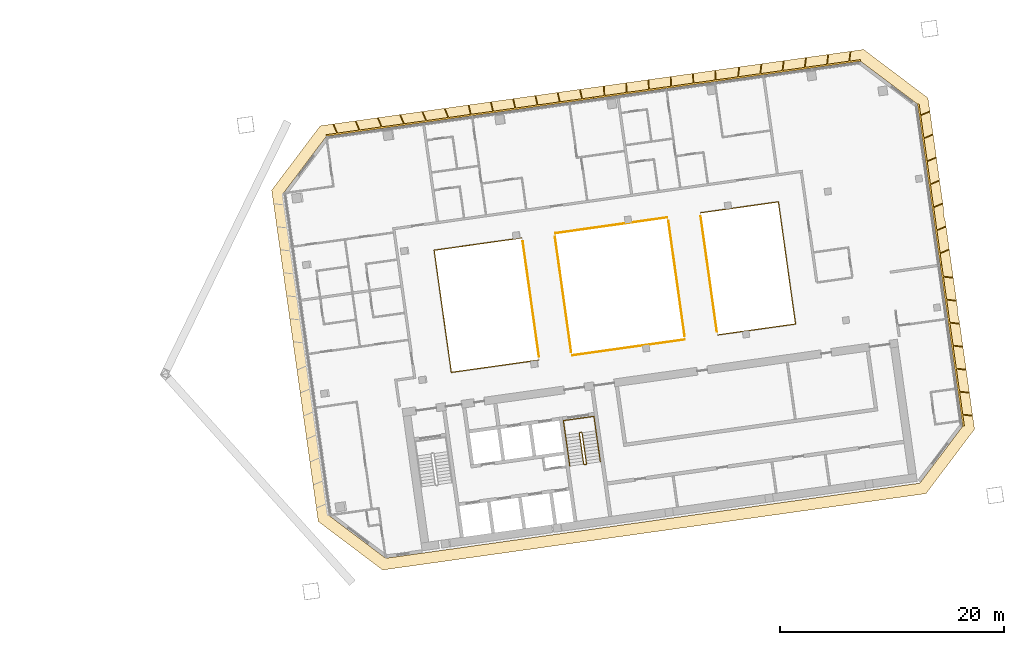
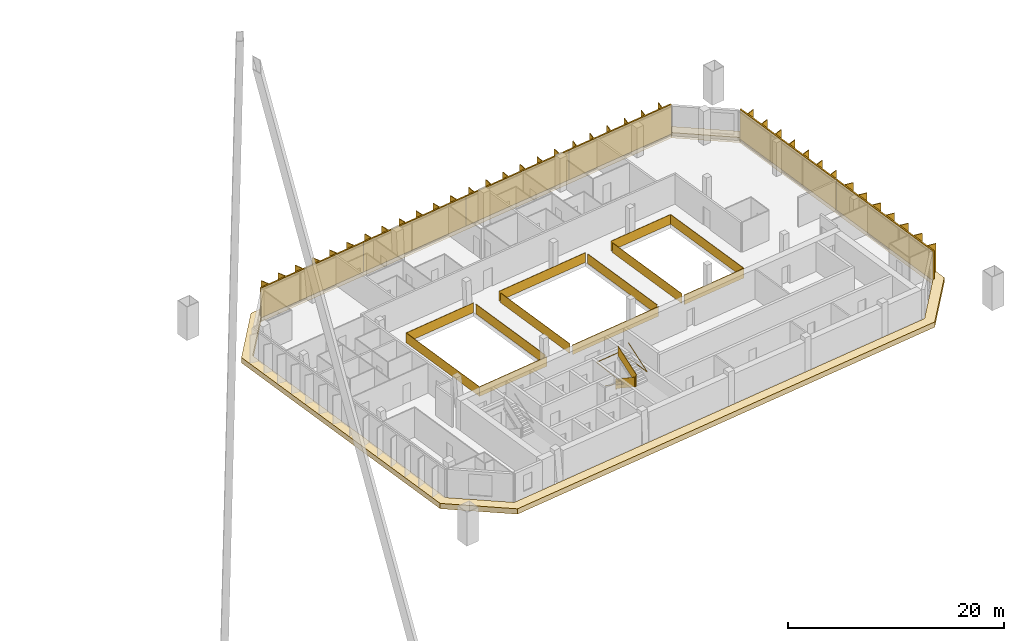
# One storey, part 26 of 26: 10 railings, 6 shading devices, 1 covering.
"""IFC4 building model written with IfcOpenShell, lengths in metres."""

from ifc_helpers import new_model, si_unit, direction, frame, origin, origin_2d, place, context, subcontext, project, spatial, polyline, rectangle, outline, extrude, material, layer, layer_set, type_object, element, save


model = new_model("IFC4")

# Units and contexts
model_context = context("Model", 3, precision=1e-05, world=origin(), true_north=direction((0.0, 1.0)))
body_context = subcontext(model_context, "Body", "Model", "MODEL_VIEW")
ifc_project = project(units=[si_unit("LENGTHUNIT", "METRE"), si_unit("AREAUNIT", "SQUARE_METRE"), si_unit("VOLUMEUNIT", "CUBIC_METRE"), si_unit("PLANEANGLEUNIT", "RADIAN"), si_unit("MASSUNIT", "GRAM", prefix="KILO")], contexts=[model_context])

# Site, building, storey
site_placement = place(None, origin())
site = spatial("IfcSite", under=ifc_project, at=site_placement, CompositionType="ELEMENT")
building_placement = place(site_placement, origin())
building = spatial("IfcBuilding", under=site, at=building_placement, Name="Mirante Cascada Hotel Towers", CompositionType="ELEMENT")
storey_placement = place(building_placement, frame((0.0, 0.0, 203.0)))
storey = spatial("IfcBuildingStorey", under=building, at=storey_placement, Name="L48", CompositionType="ELEMENT", Elevation=203.0)

# Railings
ifc_material_1 = material(Name="Toughened glass with stainless steel handrail", Category="steel")
railing_type_1 = type_object("IfcRailingType", Name="Atrium guard 1100 glass balustrade", PredefinedType="GUARDRAIL", material=ifc_material_1)
railing_1_placement = place(storey_placement, frame((46.1612, 7.946, 0.0)))
element("IfcRailing", 1, at=railing_1_placement, inside=storey, type_object=railing_type_1, Name="GUARD 2-L48-1", PredefinedType="GUARDRAIL", context=body_context, shape_type="SweptSolid", body=[
    extrude(rectangle(XDim=0.048, YDim=0.048, at=origin_2d()), frame((0.0, 0.0, 1.076), z_axis=(-0.9902684, -0.1391705, 0.0), x_axis=(0.1391705, -0.9902684, 0.0)), (0.0, 0.0, 1.0), 7.8882),
    extrude(rectangle(XDim=0.02, YDim=1.052, at=origin_2d()), frame((0.0, 0.0, 0.526), z_axis=(-0.9902684, -0.1391705, 0.0), x_axis=(0.1391705, -0.9902684, 0.0)), (0.0, 0.0, 1.0), 7.8882),
    extrude(rectangle(XDim=0.048, YDim=0.048, at=origin_2d()), frame((-7.8114, -1.0978, 1.076), z_axis=(0.1391721, -0.9902682, 0.0), x_axis=(0.9902682, 0.1391721, 0.0)), (0.0, 0.0, 1.0), 11.0001),
    extrude(rectangle(XDim=0.02, YDim=1.052, at=origin_2d()), frame((-7.8114, -1.0978, 0.526), z_axis=(0.1391721, -0.9902682, 0.0), x_axis=(0.9902682, 0.1391721, 0.0)), (0.0, 0.0, 1.0), 11.0001),
    extrude(rectangle(XDim=0.048, YDim=0.048, at=origin_2d()), frame((-6.2805, -11.9908, 1.076), z_axis=(0.9902667, 0.139183, 0.0), x_axis=(-0.139183, 0.9902667, 0.0)), (0.0, 0.0, 1.0), 7.8882),
    extrude(rectangle(XDim=0.02, YDim=1.052, at=origin_2d()), frame((-6.2805, -11.9908, 0.526), z_axis=(0.9902667, 0.139183, 0.0), x_axis=(-0.139183, 0.9902667, 0.0)), (0.0, 0.0, 1.0), 7.8882),
])
railing_2_placement = place(storey_placement, frame((50.663, -2.5294, 0.0)))
element("IfcRailing", 2, at=railing_2_placement, inside=storey, type_object=railing_type_1, Name="GUARD 2-L48-2", PredefinedType="GUARDRAIL", context=body_context, shape_type="SweptSolid", body=[
    extrude(rectangle(XDim=0.048, YDim=0.048, at=origin_2d()), frame((0.0, 0.0, 1.076), z_axis=(-1.0, 0.0, 0.0), x_axis=(0.0, -1.0, 0.0)), (0.0, 0.0, 1.0), 0.0001),
    extrude(rectangle(XDim=0.02, YDim=1.052, at=origin_2d()), frame((0.0, 0.0, 0.526), z_axis=(-1.0, 0.0, 0.0), x_axis=(0.0, -1.0, 0.0)), (0.0, 0.0, 1.0), 0.0001),
    extrude(rectangle(XDim=0.048, YDim=0.048, at=origin_2d()), frame((-0.0001, 0.0, 1.076), z_axis=(0.9902687, 0.1391687, 0.0), x_axis=(-0.1391687, 0.9902687, 0.0)), (0.0, 0.0, 1.0), 10.1194),
    extrude(rectangle(XDim=0.02, YDim=1.052, at=origin_2d()), frame((-0.0001, 0.0, 0.526), z_axis=(0.9902687, 0.1391687, 0.0), x_axis=(-0.1391687, 0.9902687, 0.0)), (0.0, 0.0, 1.0), 10.1194),
])
railing_3_placement = place(storey_placement, frame((59.1529, 9.7719, 0.0)))
element("IfcRailing", 3, at=railing_3_placement, inside=storey, type_object=railing_type_1, Name="GUARD 2-L48-3", PredefinedType="GUARDRAIL", context=body_context, shape_type="SweptSolid", body=[
    extrude(rectangle(XDim=0.048, YDim=0.048, at=origin_2d()), frame((0.0, 0.0, 1.076), z_axis=(-0.9902673, -0.1391784, 0.0), x_axis=(0.1391784, -0.9902673, 0.0)), (0.0, 0.0, 1.0), 10.1194),
    extrude(rectangle(XDim=0.02, YDim=1.052, at=origin_2d()), frame((0.0, 0.0, 0.526), z_axis=(-0.9902673, -0.1391784, 0.0), x_axis=(0.1391784, -0.9902673, 0.0)), (0.0, 0.0, 1.0), 10.1194),
    extrude(rectangle(XDim=0.048, YDim=0.048, at=origin_2d()), frame((-10.0209, -1.4084, 1.076), z_axis=(1.0, 0.0, 0.0), x_axis=(0.0, 1.0, 0.0)), (0.0, 0.0, 1.0), 0.0001),
    extrude(rectangle(XDim=0.02, YDim=1.052, at=origin_2d()), frame((-10.0209, -1.4084, 0.526), z_axis=(1.0, 0.0, 0.0), x_axis=(0.0, 1.0, 0.0)), (0.0, 0.0, 1.0), 0.0001),
])
railing_4_placement = place(storey_placement, frame((63.6546, -0.7036, 0.0)))
element("IfcRailing", 4, at=railing_4_placement, inside=storey, type_object=railing_type_1, Name="GUARD 2-L48-4", PredefinedType="GUARDRAIL", context=body_context, shape_type="SweptSolid", body=[
    extrude(rectangle(XDim=0.048, YDim=0.048, at=origin_2d()), frame((0.0, 0.0, 1.076), z_axis=(0.9902673, 0.1391786, 0.0), x_axis=(-0.1391786, 0.9902673, 0.0)), (0.0, 0.0, 1.0), 6.9925),
    extrude(rectangle(XDim=0.02, YDim=1.052, at=origin_2d()), frame((0.0, 0.0, 0.526), z_axis=(0.9902673, 0.1391786, 0.0), x_axis=(-0.1391786, 0.9902673, 0.0)), (0.0, 0.0, 1.0), 6.9925),
    extrude(rectangle(XDim=0.048, YDim=0.048, at=origin_2d()), frame((6.9244, 0.9732, 1.076), z_axis=(-0.1391733, 0.990268, 0.0), x_axis=(-0.990268, -0.1391733, 0.0)), (0.0, 0.0, 1.0), 11.0),
    extrude(rectangle(XDim=0.02, YDim=1.052, at=origin_2d()), frame((6.9244, 0.9732, 0.526), z_axis=(-0.1391733, 0.990268, 0.0), x_axis=(-0.990268, -0.1391733, 0.0)), (0.0, 0.0, 1.0), 11.0),
    extrude(rectangle(XDim=0.048, YDim=0.048, at=origin_2d()), frame((5.3935, 11.8661, 1.076), z_axis=(-0.9902693, -0.1391646, 0.0), x_axis=(0.1391646, -0.9902693, 0.0)), (0.0, 0.0, 1.0), 6.9924),
    extrude(rectangle(XDim=0.02, YDim=1.052, at=origin_2d()), frame((5.3935, 11.8661, 0.526), z_axis=(-0.9902693, -0.1391646, 0.0), x_axis=(0.1391646, -0.9902693, 0.0)), (0.0, 0.0, 1.0), 6.9924),
])
railing_5_placement = place(storey_placement, frame((47.6995, -2.6474, 0.0)))
element("IfcRailing", 5, at=railing_5_placement, inside=storey, type_object=railing_type_1, Name="GUARD 2-L48-5", PredefinedType="GUARDRAIL", context=body_context, shape_type="SweptSolid", body=[
    extrude(rectangle(XDim=0.048, YDim=0.048, at=origin_2d()), frame((0.0, 0.0, 1.076), z_axis=(-0.1391721, 0.9902682, 0.0), x_axis=(-0.9902682, -0.1391721, 0.0)), (0.0, 0.0, 1.0), 10.4087),
    extrude(rectangle(XDim=0.02, YDim=1.052, at=origin_2d()), frame((0.0, 0.0, 0.526), z_axis=(-0.1391721, 0.9902682, 0.0), x_axis=(-0.9902682, -0.1391721, 0.0)), (0.0, 0.0, 1.0), 10.4087),
])
railing_6_placement = place(storey_placement, frame((49.1246, 8.0639, 0.0)))
element("IfcRailing", 6, at=railing_6_placement, inside=storey, type_object=railing_type_1, Name="GUARD 2-L48-6", PredefinedType="GUARDRAIL", context=body_context, shape_type="SweptSolid", body=[
    extrude(rectangle(XDim=0.048, YDim=0.048, at=origin_2d()), frame((0.0, 0.0, 1.076), z_axis=(0.1391721, -0.9902682, 0.0), x_axis=(0.9902682, 0.1391721, 0.0)), (0.0, 0.0, 1.0), 10.4087),
    extrude(rectangle(XDim=0.02, YDim=1.052, at=origin_2d()), frame((0.0, 0.0, 0.526), z_axis=(0.1391721, -0.9902682, 0.0), x_axis=(0.9902682, 0.1391721, 0.0)), (0.0, 0.0, 1.0), 10.4087),
])
railing_7_placement = place(storey_placement, frame((60.6912, -0.8215, 0.0)))
element("IfcRailing", 7, at=railing_7_placement, inside=storey, type_object=railing_type_1, Name="GUARD 2-L48-7", PredefinedType="GUARDRAIL", context=body_context, shape_type="SweptSolid", body=[
    extrude(rectangle(XDim=0.048, YDim=0.048, at=origin_2d()), frame((0.0, 0.0, 1.076), z_axis=(-0.1391721, 0.9902682, 0.0), x_axis=(-0.9902682, -0.1391721, 0.0)), (0.0, 0.0, 1.0), 10.4087),
    extrude(rectangle(XDim=0.02, YDim=1.052, at=origin_2d()), frame((0.0, 0.0, 0.526), z_axis=(-0.1391721, 0.9902682, 0.0), x_axis=(-0.9902682, -0.1391721, 0.0)), (0.0, 0.0, 1.0), 10.4087),
])
railing_8_placement = place(storey_placement, frame((62.1163, 9.8898, 0.0)))
element("IfcRailing", 8, at=railing_8_placement, inside=storey, type_object=railing_type_1, Name="GUARD 2-L48-8", PredefinedType="GUARDRAIL", context=body_context, shape_type="SweptSolid", body=[
    extrude(rectangle(XDim=0.048, YDim=0.048, at=origin_2d()), frame((0.0, 0.0, 1.076), z_axis=(0.1391721, -0.9902682, 0.0), x_axis=(0.9902682, 0.1391721, 0.0)), (0.0, 0.0, 1.0), 10.4087),
    extrude(rectangle(XDim=0.02, YDim=1.052, at=origin_2d()), frame((0.0, 0.0, 0.526), z_axis=(0.1391721, -0.9902682, 0.0), x_axis=(0.9902682, 0.1391721, 0.0)), (0.0, 0.0, 1.0), 10.4087),
])

# Covering
ifc_material_2 = material(Name="Precast concrete C40/50 white", Category="concrete")
ifc_layer = layer(ifc_material_2, 0.6)
ifc_layer_set = layer_set([ifc_layer], Name="Precast concrete SUNSHADE band 1000x600")
covering_type = type_object("IfcCoveringType", Name="Precast concrete SUNSHADE band 1000x600", PredefinedType="CLADDING", material=ifc_layer_set)
covering_placement = place(storey_placement, frame((0.0, 0.0, -0.45)))
element("IfcCovering", 9, at=covering_placement, inside=storey, type_object=covering_type, Name="Precast concrete SUNSHADE band T2 L48", PredefinedType="CLADDING", context=body_context, shape_type="SweptSolid", body=[
    extrude(outline(polyline([(23.86, 12.1979), (28.1885, 17.942), (76.645, 24.7521), (82.3891, 20.4236), (83.774, 10.5697), (83.7682, 10.5464), (83.7622, 10.5054), (83.7603, 10.4639), (83.7624, 10.4225), (83.8181, 9.8725), (83.8243, 9.8315), (83.8345, 9.7913), (83.8485, 9.7523), (83.8664, 9.7148), (83.8878, 9.6793), (83.9017, 9.6606), (85.0278, 1.6484), (85.0195, 1.6266), (85.0087, 1.5866), (85.0019, 1.5457), (84.9991, 1.5043), (85.0004, 1.4629), (85.0058, 1.4217), (85.1039, 0.8776), (85.1132, 0.8372), (85.1265, 0.798), (85.1436, 0.7602), (85.1555, 0.7394), (86.5404, -9.1145), (82.2119, -14.8586), (33.7554, -21.6688), (28.0113, -17.3403), (23.86, 12.1979)]), holes=[polyline([(85.4925, -8.8435), (81.4565, 19.8742), (76.374, 23.7042), (28.7378, 17.0093), (24.9079, 11.9268), (28.9439, -16.7909), (34.0264, -20.6209), (81.6626, -13.926), (85.4925, -8.8435)])]), origin(), (0.0, 0.0, 1.0), 0.6),
])

# Railings
ifc_material_3 = material(Name="Painted steel", Category="steel")
railing_type_2 = type_object("IfcRailingType", Name="Stair guard 1100 steel balustrade", PredefinedType="GUARDRAIL", material=ifc_material_3)
railing_9_placement = place(storey_placement, frame((51.4864, -9.3815, 0.0)))
element("IfcRailing", 10, at=railing_9_placement, inside=storey, type_object=railing_type_2, Name="L48 ST2-B stair guard 1", PredefinedType="GUARDRAIL", context=body_context, shape_type="SweptSolid", body=[
    extrude(rectangle(XDim=0.048, YDim=0.048, at=origin_2d()), frame((0.0, 0.0, 1.076), z_axis=(-0.9902408, -0.1393672, 0.0), x_axis=(0.1393672, -0.9902408, 0.0)), (0.0, 0.0, 1.0), 0.15),
    extrude(rectangle(XDim=0.02, YDim=1.052, at=origin_2d()), frame((0.0, 0.0, 0.526), z_axis=(-0.9902408, -0.1393672, 0.0), x_axis=(0.1393672, -0.9902408, 0.0)), (0.0, 0.0, 1.0), 0.15),
    extrude(rectangle(XDim=0.048, YDim=0.048, at=origin_2d()), frame((-0.1485, -0.0209, 1.076), z_axis=(-0.6020331, -0.7984711, 0.0), x_axis=(0.7984711, -0.6020331, 0.0)), (0.0, 0.9253398, 0.3791387), 0.1866),
    extrude(rectangle(XDim=0.02, YDim=1.052, at=origin_2d()), frame((-0.1485, -0.0209, 0.526), z_axis=(-0.6020331, -0.7984711, 0.0), x_axis=(0.7984711, -0.6020331, 0.0)), (0.0, 0.9253398, 0.3791387), 0.1866),
    extrude(rectangle(XDim=0.048, YDim=0.048, at=origin_2d()), frame((-0.1911, -0.0774, 1.2487), z_axis=(0.139181, -0.990267, 0.0), x_axis=(0.990267, 0.139181, 0.0)), (0.0, 0.5250347, 0.8510808), 3.2899),
    extrude(rectangle(XDim=0.02, YDim=1.052, at=origin_2d()), frame((-0.1911, -0.0774, 0.6987), z_axis=(0.139181, -0.990267, 0.0), x_axis=(0.990267, 0.139181, 0.0)), (0.0, 0.5250347, 0.8510808), 3.2899),
    extrude(rectangle(XDim=0.048, YDim=0.048, at=origin_2d()), frame((0.1986, -2.8501, 2.976), z_axis=(0.9944441, -0.1052656, 0.0), x_axis=(0.1052656, 0.9944441, 0.0)), (0.0, 0.0, 1.0), 0.2061),
    extrude(rectangle(XDim=0.02, YDim=1.052, at=origin_2d()), frame((0.1986, -2.8501, 2.426), z_axis=(0.9944441, -0.1052656, 0.0), x_axis=(0.1052656, 0.9944441, 0.0)), (0.0, 0.0, 1.0), 0.2061),
    extrude(rectangle(XDim=0.048, YDim=0.048, at=origin_2d()), frame((0.4036, -2.8718, 2.976), z_axis=(-0.9902408, -0.1393672, 0.0), x_axis=(0.1393672, -0.9902408, 0.0)), (0.0, 0.0, 1.0), 0.15),
    extrude(rectangle(XDim=0.02, YDim=1.052, at=origin_2d()), frame((0.4036, -2.8718, 2.426), z_axis=(-0.9902408, -0.1393672, 0.0), x_axis=(0.1393672, -0.9902408, 0.0)), (0.0, 0.0, 1.0), 0.15),
    extrude(rectangle(XDim=0.048, YDim=0.048, at=origin_2d()), frame((0.2551, -2.8927, 2.976), z_axis=(0.9268624, 0.3754011, 0.0), x_axis=(-0.3754011, 0.9268624, 0.0)), (0.0, 0.6421217, 0.7666028), 0.269),
    extrude(rectangle(XDim=0.02, YDim=1.052, at=origin_2d()), frame((0.2551, -2.8927, 2.426), z_axis=(0.9268624, 0.3754011, 0.0), x_axis=(-0.3754011, 0.9268624, 0.0)), (0.0, 0.6421217, 0.7666028), 0.269),
    extrude(rectangle(XDim=0.048, YDim=0.048, at=origin_2d()), frame((0.4462, -2.8153, 3.1487), z_axis=(-0.139181, 0.990267, 0.0), x_axis=(-0.990267, -0.139181, 0.0)), (0.0, 0.5250347, 0.8510808), 3.2899),
    extrude(rectangle(XDim=0.02, YDim=1.052, at=origin_2d()), frame((0.4462, -2.8153, 2.5987), z_axis=(-0.139181, 0.990267, 0.0), x_axis=(-0.990267, -0.139181, 0.0)), (0.0, 0.5250347, 0.8510808), 3.2899),
])
ifc_material_4 = material(Name="Painted steel", Category="steel")
railing_type_3 = type_object("IfcRailingType", Name="Stair handrail 900 steel tube", PredefinedType="HANDRAIL", material=ifc_material_4)
railing_10_placement = place(storey_placement, frame((50.0575, -9.6328, 0.1727)))
element("IfcRailing", 11, at=railing_10_placement, inside=storey, type_object=railing_type_3, Name="L48 ST2-B stair handrail 1", PredefinedType="HANDRAIL", context=body_context, shape_type="SweptSolid", body=[
    extrude(rectangle(XDim=0.048, YDim=0.048, at=origin_2d()), frame((0.0, 0.0, 0.876), z_axis=(0.139176, -0.9902677, 0.0), x_axis=(0.9902677, 0.139176, 0.0)), (0.0, 0.5250212, 0.8510891), 3.29),
    extrude(rectangle(XDim=0.048, YDim=0.048, at=origin_2d()), frame((0.3897, -2.7728, 2.6033), z_axis=(-0.1391707, 0.9902684, 0.0), x_axis=(-0.9902684, -0.1391707, 0.0)), (0.0, 0.0420846, 0.999114), 4.1036),
    extrude(rectangle(XDim=0.048, YDim=0.048, at=origin_2d()), frame((-0.1809, 1.2873, 2.776), z_axis=(0.9902641, 0.1392013, 0.0), x_axis=(-0.1392013, 0.9902641, 0.0)), (0.0, 0.0, 1.0), 2.75),
    extrude(rectangle(XDim=0.048, YDim=0.048, at=origin_2d()), frame((2.5423, 1.6701, 2.776), z_axis=(0.1391707, -0.9902684, 0.0), x_axis=(0.9902684, 0.1391707, 0.0)), (0.0, 0.0, 1.0), 4.1),
    extrude(rectangle(XDim=0.048, YDim=0.048, at=origin_2d()), frame((3.1129, -2.39, 2.776), z_axis=(-0.139181, 0.990267, 0.0), x_axis=(-0.990267, -0.139181, 0.0)), (0.0, 0.5250347, 0.8510808), 3.2899),
])

# Shading devices
ifc_material_5 = material(Name="White precast concrete C50/60 fin", Category="concrete")
shading_device_type = type_object("IfcShadingDeviceType", Name="Vertical fin set 4500x900", PredefinedType="USERDEFINED", material=ifc_material_5)
shading_device_1_placement = place(storey_placement, origin())
element("IfcShadingDevice", 12, at=shading_device_1_placement, inside=storey, type_object=shading_device_type, Name="FIN T2 L48 front 1", ObjectType="FIN", PredefinedType="USERDEFINED", context=body_context, shape_type="SweptSolid", body=[
    extrude(outline(polyline([(65.5928, 23.1574), (65.4908, 22.3261), (67.3936, 22.5935), (67.4983, 23.4461), (67.5777, 23.4363), (67.4756, 22.605), (69.3784, 22.8725), (69.4831, 23.725), (69.5625, 23.7153), (69.4604, 22.884), (71.3633, 23.1514), (71.4679, 24.004), (71.5473, 23.9942), (71.4453, 23.163), (73.3481, 23.4304), (73.4528, 24.2829), (73.5322, 24.2732), (73.4301, 23.4419), (75.3329, 23.7093), (75.4376, 24.5619), (75.517, 24.5521), (75.415, 23.7209), (76.3531, 23.8527), (76.374, 23.7042), (64.4649, 22.0305), (64.4441, 22.179), (65.4087, 22.3146), (65.5134, 23.1671), (65.5928, 23.1574)])), origin(), (0.0, 0.0, 1.0), 3.35),
])
shading_device_2_placement = place(storey_placement, origin())
element("IfcShadingDevice", 13, at=shading_device_2_placement, inside=storey, type_object=shading_device_type, Name="FIN T2 L48 front 2", ObjectType="FIN", PredefinedType="USERDEFINED", context=body_context, shape_type="SweptSolid", body=[
    extrude(outline(polyline([(53.5272, 21.4961), (53.5715, 20.651), (55.4769, 20.9187), (55.4322, 21.7709), (55.5121, 21.7751), (55.5564, 20.9299), (57.4617, 21.1977), (57.417, 22.0498), (57.4969, 22.054), (57.5412, 21.2089), (59.4465, 21.4766), (59.4019, 22.3288), (59.4818, 22.333), (59.5261, 21.4878), (61.4314, 21.7556), (61.3867, 22.6077), (61.4666, 22.6119), (61.5109, 21.7668), (63.4162, 22.0345), (63.3716, 22.8867), (63.4514, 22.8909), (63.4957, 22.0457), (64.4441, 22.179), (64.4649, 22.0305), (52.5559, 20.3567), (52.535, 20.5053), (53.492, 20.6398), (53.4474, 21.4919), (53.5272, 21.4961)])), origin(), (0.0, 0.0, 1.0), 3.35),
])
shading_device_3_placement = place(storey_placement, origin())
element("IfcShadingDevice", 14, at=shading_device_3_placement, inside=storey, type_object=shading_device_type, Name="FIN T2 L48 front 3", ObjectType="FIN", PredefinedType="USERDEFINED", context=body_context, shape_type="SweptSolid", body=[
    extrude(outline(polyline([(41.4619, 19.8075), (41.6538, 18.976), (43.5591, 19.2438), (43.3688, 20.0684), (43.4467, 20.0864), (43.6387, 19.255), (45.544, 19.5228), (45.3536, 20.3474), (45.4316, 20.3654), (45.6235, 19.5339), (47.5288, 19.8017), (47.3384, 20.6263), (47.4164, 20.6443), (47.6084, 19.8129), (49.5137, 20.0807), (49.3233, 20.9053), (49.4012, 20.9233), (49.5932, 20.0918), (51.4985, 20.3596), (51.3081, 21.1842), (51.3861, 21.2022), (51.578, 20.3708), (52.535, 20.5053), (52.5559, 20.3567), (40.6469, 18.683), (40.626, 18.8316), (41.5743, 18.9649), (41.3839, 19.7895), (41.4619, 19.8075)])), origin(), (0.0, 0.0, 1.0), 3.35),
])
shading_device_4_placement = place(storey_placement, origin())
element("IfcShadingDevice", 15, at=shading_device_4_placement, inside=storey, type_object=shading_device_type, Name="FIN T2 L48 front 4", ObjectType="FIN", PredefinedType="USERDEFINED", context=body_context, shape_type="SweptSolid", body=[
    extrude(outline(polyline([(29.4015, 18.0919), (29.7371, 17.3012), (31.6399, 17.5687), (31.3127, 18.3396), (31.3863, 18.3709), (31.7219, 17.5802), (33.6248, 17.8476), (33.2975, 18.6186), (33.3712, 18.6498), (33.7068, 17.8592), (35.6096, 18.1266), (35.2824, 18.8975), (35.356, 18.9288), (35.6916, 18.1381), (37.5944, 18.4055), (37.2672, 19.1765), (37.3408, 19.2077), (37.6765, 18.4171), (39.5793, 18.6845), (39.252, 19.4554), (39.3257, 19.4867), (39.6613, 18.696), (40.626, 18.8316), (40.6469, 18.683), (28.7378, 17.0093), (28.7169, 17.1579), (29.6551, 17.2897), (29.3278, 18.0607), (29.4015, 18.0919)])), origin(), (0.0, 0.0, 1.0), 3.35),
])
shading_device_5_placement = place(storey_placement, origin())
element("IfcShadingDevice", 16, at=shading_device_5_placement, inside=storey, type_object=shading_device_type, Name="FIN T2 L48 outer 1", ObjectType="FIN", PredefinedType="USERDEFINED", context=body_context, shape_type="SweptSolid", body=[
    extrude(outline(polyline([(86.3358, -7.9534), (85.5045, -7.8513), (85.641, -8.8227), (85.4925, -8.8435), (83.4745, 5.5153), (83.623, 5.5362), (83.7633, 4.5383), (84.6158, 4.4336), (84.6061, 4.3542), (83.7748, 4.4563), (84.0515, 2.4871), (84.9041, 2.3824), (84.8943, 2.303), (84.0631, 2.405), (84.3398, 0.4358), (85.1924, 0.3311), (85.1826, 0.2517), (84.3514, 0.3538), (84.6281, -1.6155), (85.4807, -1.7202), (85.4709, -1.7996), (84.6396, -1.6975), (84.9164, -3.6667), (85.769, -3.7714), (85.7592, -3.8508), (84.9279, -3.7488), (85.2047, -5.718), (86.0572, -5.8227), (86.0475, -5.9021), (85.2162, -5.8), (85.493, -7.7693), (86.3455, -7.874), (86.3358, -7.9534)])), origin(), (0.0, 0.0, 1.0), 3.35),
])
shading_device_6_placement = place(storey_placement, origin())
element("IfcShadingDevice", 17, at=shading_device_6_placement, inside=storey, type_object=shading_device_type, Name="FIN T2 L48 outer 2", ObjectType="FIN", PredefinedType="USERDEFINED", context=body_context, shape_type="SweptSolid", body=[
    extrude(outline(polyline([(84.2734, 6.8697), (83.4828, 6.5341), (83.623, 5.5362), (83.4745, 5.5153), (81.4565, 19.8742), (81.605, 19.8951), (81.7415, 18.9238), (82.5125, 19.251), (82.5437, 19.1774), (81.753, 18.8417), (82.0298, 16.8725), (82.8007, 17.1997), (82.832, 17.1261), (82.0413, 16.7905), (82.3181, 14.8212), (83.089, 15.1485), (83.1203, 15.0748), (82.3296, 14.7392), (82.6064, 12.7699), (83.3773, 13.0972), (83.4086, 13.0235), (82.6179, 12.6879), (82.8947, 10.7187), (83.6656, 11.0459), (83.6969, 10.9723), (82.9062, 10.6367), (83.183, 8.6674), (83.9539, 8.9946), (83.9852, 8.921), (83.1945, 8.5854), (83.4712, 6.6161), (84.2422, 6.9434), (84.2734, 6.8697)])), origin(), (0.0, 0.0, 1.0), 3.35),
])

save(model, "model.ifc")
